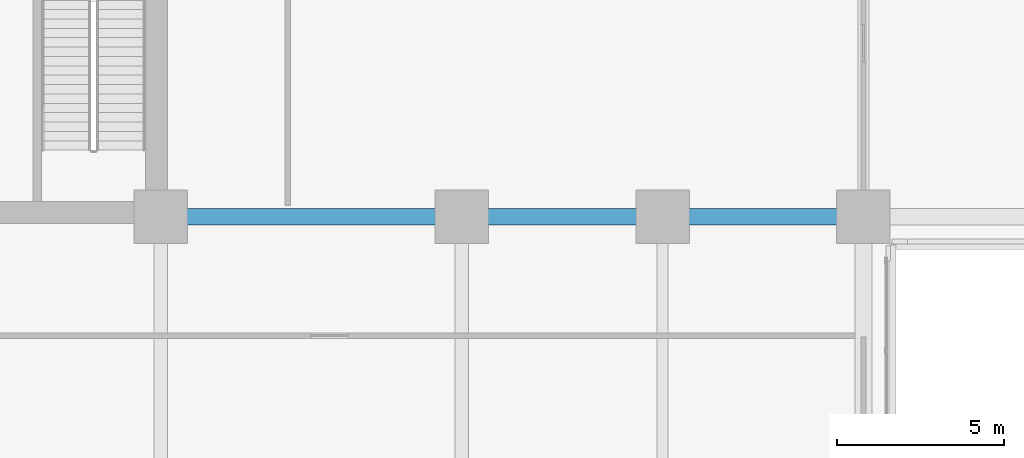
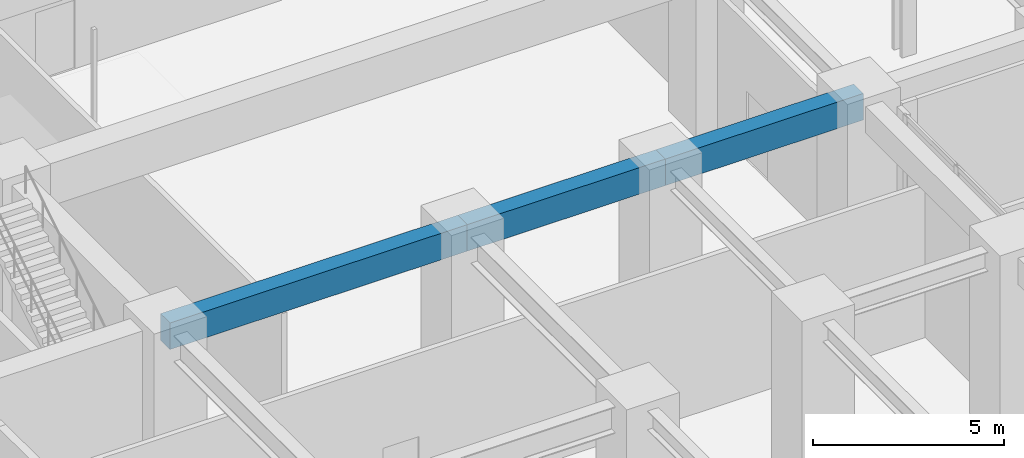
# One storey, part 12 of 34: 3 beams.
"""IFC4 building model written with IfcOpenShell, lengths in metres."""

from ifc_helpers import new_model, si_unit, direction, frame, origin, origin_2d, place, context, subcontext, project, spatial, rectangle, extrude, source, transform, mapped, material, material_profile, profile_set, type_object, element, save


model = new_model("IFC4")

# Units and contexts
model_context = context("Model", 3, precision=1e-05, world=origin(), true_north=direction((0.0, 1.0)))
body_context = subcontext(model_context, "Body", "Model", "MODEL_VIEW")
ifc_project = project(units=[si_unit("LENGTHUNIT", "METRE"), si_unit("AREAUNIT", "SQUARE_METRE"), si_unit("VOLUMEUNIT", "CUBIC_METRE"), si_unit("PLANEANGLEUNIT", "RADIAN"), si_unit("MASSUNIT", "GRAM", prefix="KILO")], contexts=[model_context])

# Site, building, storey
site_placement = place(None, origin())
site = spatial("IfcSite", under=ifc_project, at=site_placement, CompositionType="ELEMENT")
building_placement = place(site_placement, origin())
building = spatial("IfcBuilding", under=site, at=building_placement, Name="Torre Montelarca", CompositionType="ELEMENT")
storey_placement = place(building_placement, frame((0.0, 0.0, 6.0)))
storey = spatial("IfcBuildingStorey", under=building, at=storey_placement, Name="L02", CompositionType="ELEMENT", Elevation=6.0)

# Beams
ifc_material = material(Name="Concrete C55/67", Category="concrete")
ifc_material_profile = material_profile(ifc_material, rectangle(XDim=0.5, YDim=0.85009765625, at=origin_2d()), Name="RCB500X850", Category="concrete")
ifc_profile_set = profile_set([ifc_material_profile], Name="Concrete C55/67")
beam_type = type_object("IfcBeamType", Name="BM-SP-RC850-EXT", PredefinedType="SPANDREL", material=ifc_profile_set)
shared_shape_1 = source(origin(), body_context, "Body", "SweptSolid", [
    extrude(rectangle(XDim=0.5, YDim=0.85009765625, at=origin_2d()), origin(), (0.0, 0.0, 1.0), 9.0),
])
beam_placement = place(storey_placement, frame((27.0, 24.0, 5.31494140625), z_axis=(1.0, 0.0, 0.0), x_axis=(0.0, 1.0, 0.0)))
element("IfcBeam", 1, at=beam_placement, inside=storey, type_object=beam_type, Name="L02 Grid Girder X 27.0-36.0 at Y=24.0", PredefinedType="SPANDREL", context=body_context, shape_type="MappedRepresentation", body=[
    mapped(shared_shape_1, transform((0.0, 0.0, 0.0), scale=1.0)),
])
shared_shape_2 = source(origin(), body_context, "Body", "SweptSolid", [
    extrude(rectangle(XDim=0.5, YDim=0.85009765625, at=origin_2d()), origin(), (0.0, 0.0, 1.0), 6.0),
])
for number, where, z_axis, x_axis, name in (
    (2, (36.0, 24.0, 5.31494140625), (1.0, 0.0, 0.0), (0.0, 1.0, 0.0), "L02 Grid Girder X 36.0-42.0 at Y=24.0"),
    (3, (42.0, 24.0, 5.31494140625), (1.0, 0.0, 0.0), (0.0, 1.0, 0.0), "L02 Grid Girder X 42.0-48.0 at Y=24.0"),
):
    element("IfcBeam", number, at=place(storey_placement, frame(where, z_axis=z_axis, x_axis=x_axis)), inside=storey, type_object=beam_type, Name=name, PredefinedType="SPANDREL", context=body_context, shape_type="MappedRepresentation", body=[
        mapped(shared_shape_2, transform((0.0, 0.0, 0.0), scale=1.0)),
    ])

save(model, "model.ifc")
